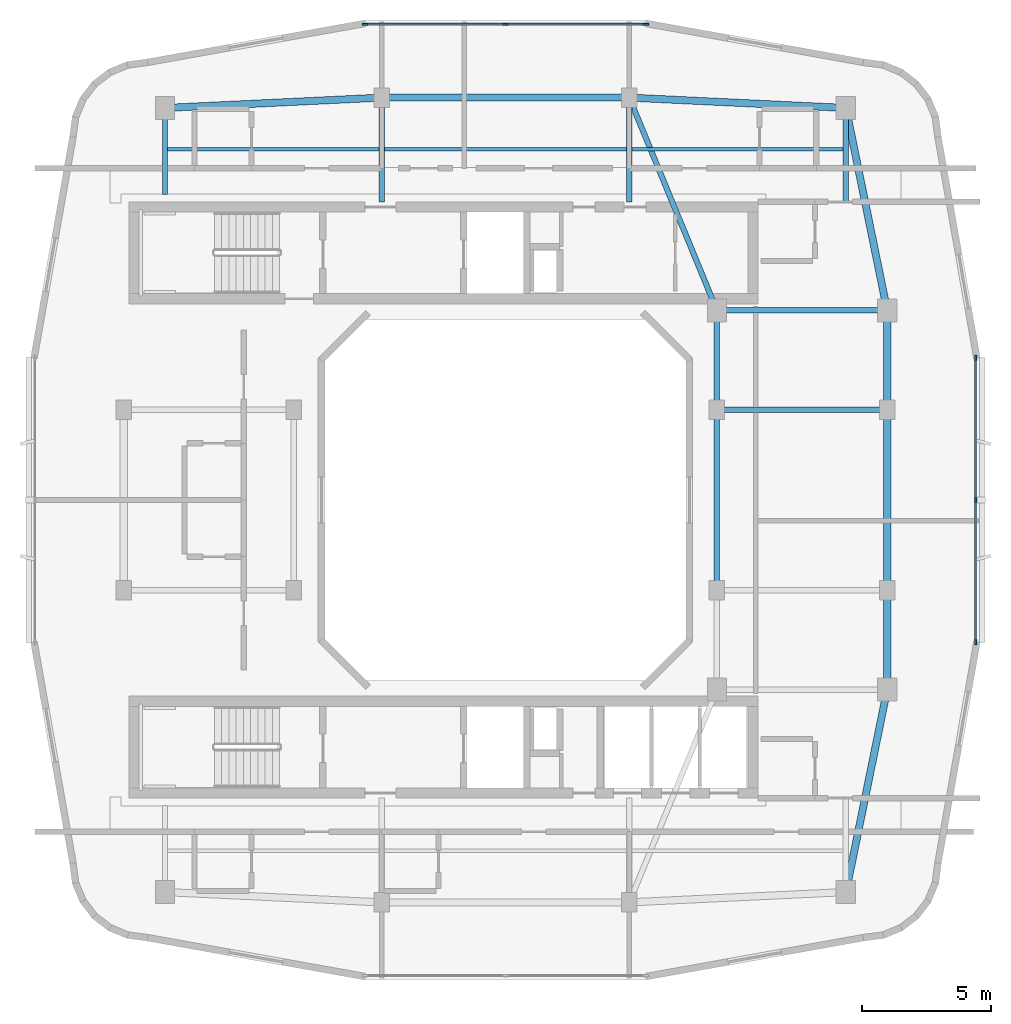
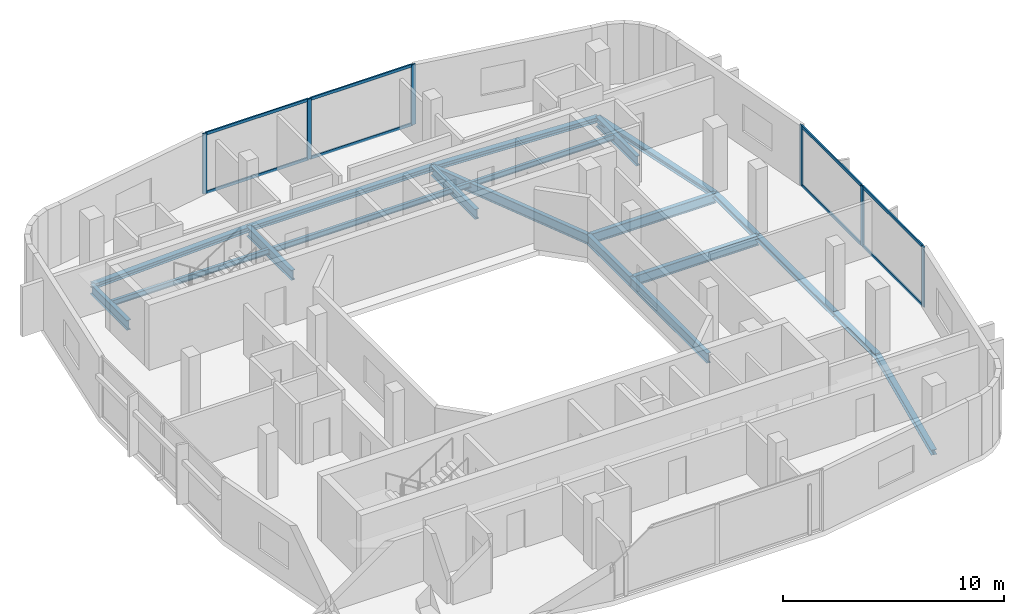
# One storey, part 3 of 10: 20 beams, 14 members, 2 elements without a shape of their own.
"""IFC4 building model written with IfcOpenShell, lengths in metres."""

from ifc_helpers import new_model, si_unit, derived_unit, direction, frame, origin, origin_2d, place, context, subcontext, project, spatial, rectangle, i_section, extrude, material, layer, layer_set, material_profile, profile_set, type_object, element, aggregate, save


model = new_model("IFC4")

# Units and contexts
model_context = context("Model", 3, precision=1e-05, world=origin(), true_north=direction((0.0, 1.0)))
body_context = subcontext(model_context, "Body", "Model", "MODEL_VIEW")
ifc_project = project(units=[si_unit("LENGTHUNIT", "METRE"), si_unit("AREAUNIT", "SQUARE_METRE"), si_unit("VOLUMEUNIT", "CUBIC_METRE"), si_unit("PLANEANGLEUNIT", "RADIAN"), si_unit("MASSUNIT", "GRAM", prefix="KILO"), derived_unit("THERMALTRANSMITTANCEUNIT", [(si_unit("POWERUNIT", "WATT"), 1), (si_unit("LENGTHUNIT", "METRE"), -2), (si_unit("THERMODYNAMICTEMPERATUREUNIT", "KELVIN"), -1)])], contexts=[model_context])

# Site, building, storey
site_placement = place(None, origin())
site = spatial("IfcSite", under=ifc_project, at=site_placement, CompositionType="ELEMENT")
building_placement = place(site_placement, origin())
building = spatial("IfcBuilding", under=site, at=building_placement, Name="Kivonza Crest Hotel", CompositionType="ELEMENT")
storey_placement = place(building_placement, frame((0.0, 0.0, 246.800048828125)))
storey = spatial("IfcBuildingStorey", under=building, at=storey_placement, Name="L67", CompositionType="ELEMENT", Elevation=246.800048828125)

# Beams
ifc_material_1 = material(Name="Steel S355", Category="steel")
ifc_material_profile_1 = material_profile(ifc_material_1, i_section(OverallWidth=0.280029296875, OverallDepth=0.280029296875, WebThickness=0.010498046875, FlangeThickness=0.01806640625, FilletRadius=0.02392578125, at=origin_2d()), Name="HEB 280")
ifc_profile_set_1 = profile_set([ifc_material_profile_1], Name="Steel S355")
beam_type_1 = type_object("IfcBeamType", Name="BM-HEB280", PredefinedType="SPANDREL", material=ifc_profile_set_1)
beam_1_placement = place(storey_placement, frame((34.199951171875, 9.800048828125, -0.420166015625), z_axis=(0.199730733965, 0.979850822273, 0.0), x_axis=(-0.979850822273, 0.199730733965, 0.0)))
element("IfcBeam", 1, at=beam_1_placement, inside=storey, type_object=beam_type_1, Name="Tower T1 L67 perimeter spandrel SE-PSE", PredefinedType="SPANDREL", context=body_context, shape_type="SweptSolid", body=[
    extrude(i_section(OverallWidth=0.280029296875, OverallDepth=0.280029296875, WebThickness=0.010498046875, FlangeThickness=0.01806640625, FilletRadius=0.02392578125, at=origin_2d()), origin(), (0.0, 0.0, 1.0), 8.01123046875),
])
beam_2_placement = place(storey_placement, frame((35.800048828125, 17.64990234375, -0.420166015625), z_axis=(0.0, 1.0, 0.0), x_axis=(-1.0, 0.0, 0.0)))
element("IfcBeam", 2, at=beam_2_placement, inside=storey, type_object=beam_type_1, Name="Tower T1 L67 perimeter spandrel PSE-E1", PredefinedType="SPANDREL", context=body_context, shape_type="SweptSolid", body=[
    extrude(i_section(OverallWidth=0.280029296875, OverallDepth=0.280029296875, WebThickness=0.010498046875, FlangeThickness=0.01806640625, FilletRadius=0.02392578125, at=origin_2d()), origin(), (0.0, 0.0, 1.0), 3.85009765625),
])
beam_3_placement = place(storey_placement, frame((35.800048828125, 21.5, -0.420166015625), z_axis=(0.0, 1.0, 0.0), x_axis=(-1.0, 0.0, 0.0)))
element("IfcBeam", 3, at=beam_3_placement, inside=storey, type_object=beam_type_1, Name="Tower T1 L67 perimeter spandrel E1-E2", PredefinedType="SPANDREL", context=body_context, shape_type="SweptSolid", body=[
    extrude(i_section(OverallWidth=0.280029296875, OverallDepth=0.280029296875, WebThickness=0.010498046875, FlangeThickness=0.01806640625, FilletRadius=0.02392578125, at=origin_2d()), origin(), (0.0, 0.0, 1.0), 7.0),
])
beam_4_placement = place(storey_placement, frame((35.800048828125, 28.5, -0.420166015625), z_axis=(0.0, 1.0, 0.0), x_axis=(-1.0, 0.0, 0.0)))
element("IfcBeam", 4, at=beam_4_placement, inside=storey, type_object=beam_type_1, Name="Tower T1 L67 perimeter spandrel E2-PNE", PredefinedType="SPANDREL", context=body_context, shape_type="SweptSolid", body=[
    extrude(i_section(OverallWidth=0.280029296875, OverallDepth=0.280029296875, WebThickness=0.010498046875, FlangeThickness=0.01806640625, FilletRadius=0.02392578125, at=origin_2d()), origin(), (0.0, 0.0, 1.0), 3.85009765625),
])
beam_5_placement = place(storey_placement, frame((35.800048828125, 32.35009765625, -0.420166015625), z_axis=(-0.199730733965, 0.979850822273, 0.0), x_axis=(-0.979850822273, -0.199730733965, 0.0)))
element("IfcBeam", 5, at=beam_5_placement, inside=storey, type_object=beam_type_1, Name="Tower T1 L67 perimeter spandrel PNE-NE", PredefinedType="SPANDREL", context=body_context, shape_type="SweptSolid", body=[
    extrude(i_section(OverallWidth=0.280029296875, OverallDepth=0.280029296875, WebThickness=0.010498046875, FlangeThickness=0.01806640625, FilletRadius=0.02392578125, at=origin_2d()), origin(), (0.0, 0.0, 1.0), 8.01123046875),
])
beam_6_placement = place(storey_placement, frame((34.199951171875, 40.199951171875, -0.420166015625), z_axis=(-0.998867283688, 0.047583080799, 0.0), x_axis=(-0.047583080799, -0.998867283688, 0.0)))
element("IfcBeam", 6, at=beam_6_placement, inside=storey, type_object=beam_type_1, Name="Tower T1 L67 perimeter spandrel NE-N2", PredefinedType="SPANDREL", context=body_context, shape_type="SweptSolid", body=[
    extrude(i_section(OverallWidth=0.280029296875, OverallDepth=0.280029296875, WebThickness=0.010498046875, FlangeThickness=0.01806640625, FilletRadius=0.02392578125, at=origin_2d()), origin(), (0.0, 0.0, 1.0), 8.409423828125),
])
beam_7_placement = place(storey_placement, frame((25.800048828125, 40.60009765625, -0.420166015625), z_axis=(-1.0, 0.0, 0.0), x_axis=(0.0, -1.0, 0.0)))
element("IfcBeam", 7, at=beam_7_placement, inside=storey, type_object=beam_type_1, Name="Tower T1 L67 perimeter spandrel N2-N1", PredefinedType="SPANDREL", context=body_context, shape_type="SweptSolid", body=[
    extrude(i_section(OverallWidth=0.280029296875, OverallDepth=0.280029296875, WebThickness=0.010498046875, FlangeThickness=0.01806640625, FilletRadius=0.02392578125, at=origin_2d()), origin(), (0.0, 0.0, 1.0), 9.60009765625),
])
beam_8_placement = place(storey_placement, frame((16.199951171875, 40.60009765625, -0.420166015625), z_axis=(-0.998867283688, -0.047583080799, 0.0), x_axis=(0.047583080799, -0.998867283688, 0.0)))
element("IfcBeam", 8, at=beam_8_placement, inside=storey, type_object=beam_type_1, Name="Tower T1 L67 perimeter spandrel N1-NW", PredefinedType="SPANDREL", context=body_context, shape_type="SweptSolid", body=[
    extrude(i_section(OverallWidth=0.280029296875, OverallDepth=0.280029296875, WebThickness=0.010498046875, FlangeThickness=0.01806640625, FilletRadius=0.02392578125, at=origin_2d()), origin(), (0.0, 0.0, 1.0), 8.409423828125),
])
ifc_material_profile_2 = material_profile(ifc_material_1, i_section(OverallWidth=0.14990234375, OverallDepth=0.300048828125, WebThickness=0.007080078125, FlangeThickness=0.0107421875, FilletRadius=0.014892578125, at=origin_2d()), Name="IPE 300")
ifc_profile_set_2 = profile_set([ifc_material_profile_2], Name="Steel S355")
beam_type_2 = type_object("IfcBeamType", Name="BM-IPE300", PredefinedType="JOIST", material=ifc_profile_set_2)
beam_9_placement = place(storey_placement, frame((7.8798828125, 38.60009765625, -0.429931640625), z_axis=(1.0, 0.0, 0.0), x_axis=(0.0, 1.0, 0.0)))
element("IfcBeam", 9, at=beam_9_placement, inside=storey, type_object=beam_type_2, Name="Tower T1 L67 North-West floor joist", PredefinedType="JOIST", context=body_context, shape_type="SweptSolid", body=[
    extrude(i_section(OverallWidth=0.14990234375, OverallDepth=0.300048828125, WebThickness=0.007080078125, FlangeThickness=0.0107421875, FilletRadius=0.014892578125, at=origin_2d()), origin(), (0.0, 0.0, 1.0), 8.240234375),
])
beam_10_placement = place(storey_placement, frame((16.280029296875, 38.60009765625, -0.429931640625), z_axis=(1.0, 0.0, 0.0), x_axis=(0.0, 1.0, 0.0)))
element("IfcBeam", 10, at=beam_10_placement, inside=storey, type_object=beam_type_2, Name="Tower T1 L67 North-Mid floor joist", PredefinedType="JOIST", context=body_context, shape_type="SweptSolid", body=[
    extrude(i_section(OverallWidth=0.14990234375, OverallDepth=0.300048828125, WebThickness=0.007080078125, FlangeThickness=0.0107421875, FilletRadius=0.014892578125, at=origin_2d()), origin(), (0.0, 0.0, 1.0), 9.43994140625),
])
beam_11_placement = place(storey_placement, frame((25.8798828125, 38.60009765625, -0.429931640625), z_axis=(1.0, 0.0, 0.0), x_axis=(0.0, 1.0, 0.0)))
element("IfcBeam", 11, at=beam_11_placement, inside=storey, type_object=beam_type_2, Name="Tower T1 L67 North-East floor joist", PredefinedType="JOIST", context=body_context, shape_type="SweptSolid", body=[
    extrude(i_section(OverallWidth=0.14990234375, OverallDepth=0.300048828125, WebThickness=0.007080078125, FlangeThickness=0.0107421875, FilletRadius=0.014892578125, at=origin_2d()), origin(), (0.0, 0.0, 1.0), 8.240234375),
])
ifc_material_profile_3 = material_profile(ifc_material_1, i_section(OverallWidth=0.2099609375, OverallDepth=0.550048828125, WebThickness=0.010986328125, FlangeThickness=0.01708984375, FilletRadius=0.02392578125, at=origin_2d()), Name="IPE 550")
ifc_profile_set_3 = profile_set([ifc_material_profile_3], Name="Steel S355")
beam_type_3 = type_object("IfcBeamType", Name="BM-IPE550", PredefinedType="BEAM", material=ifc_profile_set_3)
beam_12_placement = place(storey_placement, frame((25.800048828125, 40.60009765625, -0.554931640625), z_axis=(0.381022260404, -0.924565864109, 0.0), x_axis=(0.924565864109, 0.381022260404, 0.0)))
element("IfcBeam", 12, at=beam_12_placement, inside=storey, type_object=beam_type_3, Name="Tower T1 L67 primary girder N1-TNE", PredefinedType="BEAM", context=body_context, shape_type="SweptSolid", body=[
    extrude(i_section(OverallWidth=0.2099609375, OverallDepth=0.550048828125, WebThickness=0.010986328125, FlangeThickness=0.01708984375, FilletRadius=0.02392578125, at=origin_2d()), origin(), (0.0, 0.0, 1.0), 8.923095703125),
])
beam_13_placement = place(storey_placement, frame((29.199951171875, 32.35009765625, -0.554931640625), z_axis=(1.0, 0.0, 0.0), x_axis=(0.0, 1.0, 0.0)))
element("IfcBeam", 13, at=beam_13_placement, inside=storey, type_object=beam_type_3, Name="Tower T1 L67 primary girder TNE-PNE", PredefinedType="BEAM", context=body_context, shape_type="SweptSolid", body=[
    extrude(i_section(OverallWidth=0.2099609375, OverallDepth=0.550048828125, WebThickness=0.010986328125, FlangeThickness=0.01708984375, FilletRadius=0.02392578125, at=origin_2d()), origin(), (0.0, 0.0, 1.0), 6.60009765625),
])
beam_14_placement = place(storey_placement, frame((29.199951171875, 21.5, -0.554931640625), z_axis=(0.0, 1.0, 0.0), x_axis=(-1.0, 0.0, 0.0)))
element("IfcBeam", 14, at=beam_14_placement, inside=storey, type_object=beam_type_3, Name="Tower T1 L67 primary girder WR1-WR2", PredefinedType="BEAM", context=body_context, shape_type="SweptSolid", body=[
    extrude(i_section(OverallWidth=0.2099609375, OverallDepth=0.550048828125, WebThickness=0.010986328125, FlangeThickness=0.01708984375, FilletRadius=0.02392578125, at=origin_2d()), origin(), (0.0, 0.0, 1.0), 7.0),
])
beam_15_placement = place(storey_placement, frame((29.199951171875, 28.5, -0.554931640625), z_axis=(0.0, 1.0, 0.0), x_axis=(-1.0, 0.0, 0.0)))
element("IfcBeam", 15, at=beam_15_placement, inside=storey, type_object=beam_type_3, Name="Tower T1 L67 primary girder WR2-TNE", PredefinedType="BEAM", context=body_context, shape_type="SweptSolid", body=[
    extrude(i_section(OverallWidth=0.2099609375, OverallDepth=0.550048828125, WebThickness=0.010986328125, FlangeThickness=0.01708984375, FilletRadius=0.02392578125, at=origin_2d()), origin(), (0.0, 0.0, 1.0), 3.85009765625),
])
beam_16_placement = place(storey_placement, frame((29.199951171875, 28.5, -0.554931640625), z_axis=(1.0, 0.0, 0.0), x_axis=(0.0, 1.0, 0.0)))
element("IfcBeam", 16, at=beam_16_placement, inside=storey, type_object=beam_type_3, Name="Tower T1 L67 primary girder WR2-E2", PredefinedType="BEAM", context=body_context, shape_type="SweptSolid", body=[
    extrude(i_section(OverallWidth=0.2099609375, OverallDepth=0.550048828125, WebThickness=0.010986328125, FlangeThickness=0.01708984375, FilletRadius=0.02392578125, at=origin_2d()), origin(), (0.0, 0.0, 1.0), 6.60009765625),
])
beam_17_placement = place(storey_placement, frame((7.800048828125, 40.199951171875, -0.554931640625), z_axis=(0.0, -1.0, 0.0), x_axis=(1.0, 0.0, 0.0)))
element("IfcBeam", 17, at=beam_17_placement, inside=storey, type_object=beam_type_3, Name="Tower T1 L67 radial core girder RNW", PredefinedType="BEAM", context=body_context, shape_type="SweptSolid", body=[
    extrude(i_section(OverallWidth=0.2099609375, OverallDepth=0.550048828125, WebThickness=0.010986328125, FlangeThickness=0.01708984375, FilletRadius=0.02392578125, at=origin_2d()), origin(), (0.0, 0.0, 1.0), 3.349853515625),
])
for number, where, z_axis, x_axis, name in (
    (18, (16.199951171875, 40.60009765625, -0.554931640625), (0.0, -1.0, 0.0), (1.0, 0.0, 0.0), "Tower T1 L67 radial core girder RN1"),
    (19, (25.800048828125, 40.60009765625, -0.554931640625), (0.0, -1.0, 0.0), (1.0, 0.0, 0.0), "Tower T1 L67 radial core girder RN2"),
):
    element("IfcBeam", number, at=place(storey_placement, frame(where, z_axis=z_axis, x_axis=x_axis)), inside=storey, type_object=beam_type_3, Name=name, PredefinedType="BEAM", context=body_context, shape_type="SweptSolid", body=[
        extrude(i_section(OverallWidth=0.2099609375, OverallDepth=0.550048828125, WebThickness=0.010986328125, FlangeThickness=0.01708984375, FilletRadius=0.02392578125, at=origin_2d()), origin(), (0.0, 0.0, 1.0), 4.050048828125),
    ])
beam_18_placement = place(storey_placement, frame((34.199951171875, 40.199951171875, -0.554931640625), z_axis=(0.0, -1.0, 0.0), x_axis=(1.0, 0.0, 0.0)))
element("IfcBeam", 20, at=beam_18_placement, inside=storey, type_object=beam_type_3, Name="Tower T1 L67 radial core girder RNE", PredefinedType="BEAM", context=body_context, shape_type="SweptSolid", body=[
    extrude(i_section(OverallWidth=0.2099609375, OverallDepth=0.550048828125, WebThickness=0.010986328125, FlangeThickness=0.01708984375, FilletRadius=0.02392578125, at=origin_2d()), origin(), (0.0, 0.0, 1.0), 3.64990234375),
])

# Curtain wall, members
ifc_material_2 = material(Name="Anodised bronze aluminium and low-E double glazing", Category="aluminium")
ifc_layer = layer(ifc_material_2, 0.179931640625)
ifc_layer_set = layer_set([ifc_layer], Name="Anodised bronze aluminium and low-E double glazing")
curtain_wall_type = type_object("IfcCurtainWallType", Name="CW-SYS-3", PredefinedType="NOTDEFINED", material=ifc_layer_set)
curtain_wall_1_placement = place(storey_placement, origin())
curtain_wall_1 = element("IfcCurtainWall", 21, at=curtain_wall_1_placement, inside=storey, type_object=curtain_wall_type, Name="L67 unitised curtain wall CW-T1-L67-17", PredefinedType="NOTDEFINED")
ifc_material_3 = material(Name="Anodised bronze aluminium", Category="aluminium")
ifc_material_profile_4 = material_profile(ifc_material_3, rectangle(XDim=0.074951171875, YDim=0.219970703125, at=origin_2d()), Name="CW-M 75x220")
ifc_profile_set_4 = profile_set([ifc_material_profile_4], Name="Anodised bronze aluminium")
member_type_1 = type_object("IfcMemberType", Name="CW-MUL-75x220", PredefinedType="MULLION", material=ifc_profile_set_4)
member_1_placement = place(storey_placement, frame((39.239990234375, 19.49755859375, 0.0), z_axis=(0.0, 0.0, 1.0), x_axis=(-1.0, 0.0, 0.0)))
member_1 = element("IfcMember", 22, at=member_1_placement, type_object=member_type_1, Name="CW-3 mullion 1", PredefinedType="MULLION", context=body_context, shape_type="SweptSolid", body=[
    extrude(rectangle(XDim=0.074951171875, YDim=0.219970703125, at=origin_2d()), origin(), (0.0, 0.0, 1.0), 3.320068359375),
])
member_2_placement = place(storey_placement, frame((39.239990234375, 25.0, 0.0), z_axis=(0.0, 0.0, 1.0), x_axis=(-1.0, 0.0, 0.0)))
member_2 = element("IfcMember", 23, at=member_2_placement, type_object=member_type_1, Name="CW-3 mullion 2", PredefinedType="MULLION", context=body_context, shape_type="SweptSolid", body=[
    extrude(rectangle(XDim=0.074951171875, YDim=0.219970703125, at=origin_2d()), origin(), (0.0, 0.0, 1.0), 3.320068359375),
])
member_3_placement = place(storey_placement, frame((39.239990234375, 30.50244140625, 0.0), z_axis=(0.0, 0.0, 1.0), x_axis=(-1.0, 0.0, 0.0)))
member_3 = element("IfcMember", 24, at=member_3_placement, type_object=member_type_1, Name="CW-3 mullion 3", PredefinedType="MULLION", context=body_context, shape_type="SweptSolid", body=[
    extrude(rectangle(XDim=0.074951171875, YDim=0.219970703125, at=origin_2d()), origin(), (0.0, 0.0, 1.0), 3.320068359375),
])

curtain_wall_2_placement = place(storey_placement, origin())
curtain_wall_2 = element("IfcCurtainWall", 25, at=curtain_wall_2_placement, inside=storey, type_object=curtain_wall_type, Name="L67 unitised curtain wall CW-T1-L67-26", PredefinedType="NOTDEFINED")
member_4_placement = place(storey_placement, frame((26.4423828125, 43.43994140625, 0.0), z_axis=(0.0, 0.0, 1.0), x_axis=(0.0, -1.0, 0.0)))
member_4 = element("IfcMember", 26, at=member_4_placement, type_object=member_type_1, Name="CW-3 mullion 1", PredefinedType="MULLION", context=body_context, shape_type="SweptSolid", body=[
    extrude(rectangle(XDim=0.074951171875, YDim=0.219970703125, at=origin_2d()), origin(), (0.0, 0.0, 1.0), 3.320068359375),
])
member_5_placement = place(storey_placement, frame((21.0, 43.43994140625, 0.0), z_axis=(0.0, 0.0, 1.0), x_axis=(0.0, -1.0, 0.0)))
member_5 = element("IfcMember", 27, at=member_5_placement, type_object=member_type_1, Name="CW-3 mullion 2", PredefinedType="MULLION", context=body_context, shape_type="SweptSolid", body=[
    extrude(rectangle(XDim=0.074951171875, YDim=0.219970703125, at=origin_2d()), origin(), (0.0, 0.0, 1.0), 3.320068359375),
])
member_6_placement = place(storey_placement, frame((15.5576171875, 43.43994140625, 0.0), z_axis=(0.0, 0.0, 1.0), x_axis=(0.0, -1.0, 0.0)))
member_6 = element("IfcMember", 28, at=member_6_placement, type_object=member_type_1, Name="CW-3 mullion 3", PredefinedType="MULLION", context=body_context, shape_type="SweptSolid", body=[
    extrude(rectangle(XDim=0.074951171875, YDim=0.219970703125, at=origin_2d()), origin(), (0.0, 0.0, 1.0), 3.320068359375),
])

# Member
ifc_material_profile_5 = material_profile(ifc_material_3, rectangle(XDim=0.074951171875, YDim=0.159912109375, at=origin_2d()), Name="CW-T 75x160")
ifc_profile_set_5 = profile_set([ifc_material_profile_5], Name="Anodised bronze aluminium")
member_type_2 = type_object("IfcMemberType", Name="CW-TRN-75x160", PredefinedType="USERDEFINED", material=ifc_profile_set_5)
member_7_placement = place(storey_placement, frame((39.239990234375, 19.534912109375, 0.037353515625), z_axis=(0.0, 1.0, 0.0), x_axis=(-1.0, 0.0, 0.0)))
member_7 = element("IfcMember", 29, at=member_7_placement, type_object=member_type_2, Name="CW-3 transom 1.1", ObjectType="TRANSOM", PredefinedType="USERDEFINED", context=body_context, shape_type="SweptSolid", body=[
    extrude(rectangle(XDim=0.074951171875, YDim=0.159912109375, at=origin_2d()), origin(), (0.0, 0.0, 1.0), 5.427490234375),
])

member_8_placement = place(storey_placement, frame((39.239990234375, 19.534912109375, 3.282470703125), z_axis=(0.0, 1.0, 0.0), x_axis=(-1.0, 0.0, 0.0)))
member_8 = element("IfcMember", 30, at=member_8_placement, type_object=member_type_2, Name="CW-3 transom 1.2", ObjectType="TRANSOM", PredefinedType="USERDEFINED", context=body_context, shape_type="SweptSolid", body=[
    extrude(rectangle(XDim=0.074951171875, YDim=0.159912109375, at=origin_2d()), origin(), (0.0, 0.0, 1.0), 5.427490234375),
])

member_9_placement = place(storey_placement, frame((39.239990234375, 25.03759765625, 0.037353515625), z_axis=(0.0, 1.0, 0.0), x_axis=(-1.0, 0.0, 0.0)))
member_9 = element("IfcMember", 31, at=member_9_placement, type_object=member_type_2, Name="CW-3 transom 2.1", ObjectType="TRANSOM", PredefinedType="USERDEFINED", context=body_context, shape_type="SweptSolid", body=[
    extrude(rectangle(XDim=0.074951171875, YDim=0.159912109375, at=origin_2d()), origin(), (0.0, 0.0, 1.0), 5.427490234375),
])

member_10_placement = place(storey_placement, frame((39.239990234375, 25.03759765625, 3.282470703125), z_axis=(0.0, 1.0, 0.0), x_axis=(-1.0, 0.0, 0.0)))
member_10 = element("IfcMember", 32, at=member_10_placement, type_object=member_type_2, Name="CW-3 transom 2.2", ObjectType="TRANSOM", PredefinedType="USERDEFINED", context=body_context, shape_type="SweptSolid", body=[
    extrude(rectangle(XDim=0.074951171875, YDim=0.159912109375, at=origin_2d()), origin(), (0.0, 0.0, 1.0), 5.427490234375),
])

aggregate(curtain_wall_1, [member_1, member_2, member_3, member_7, member_8, member_9, member_10])

member_11_placement = place(storey_placement, frame((26.405029296875, 43.43994140625, 0.037353515625), z_axis=(-1.0, 0.0, 0.0), x_axis=(0.0, -1.0, 0.0)))
member_11 = element("IfcMember", 33, at=member_11_placement, type_object=member_type_2, Name="CW-3 transom 1.1", ObjectType="TRANSOM", PredefinedType="USERDEFINED", context=body_context, shape_type="SweptSolid", body=[
    extrude(rectangle(XDim=0.074951171875, YDim=0.159912109375, at=origin_2d()), origin(), (0.0, 0.0, 1.0), 5.367431640625),
])

member_12_placement = place(storey_placement, frame((26.405029296875, 43.43994140625, 3.282470703125), z_axis=(-1.0, 0.0, 0.0), x_axis=(0.0, -1.0, 0.0)))
member_12 = element("IfcMember", 34, at=member_12_placement, type_object=member_type_2, Name="CW-3 transom 1.2", ObjectType="TRANSOM", PredefinedType="USERDEFINED", context=body_context, shape_type="SweptSolid", body=[
    extrude(rectangle(XDim=0.074951171875, YDim=0.159912109375, at=origin_2d()), origin(), (0.0, 0.0, 1.0), 5.367431640625),
])

member_13_placement = place(storey_placement, frame((20.96240234375, 43.43994140625, 0.037353515625), z_axis=(-1.0, 0.0, 0.0), x_axis=(0.0, -1.0, 0.0)))
member_13 = element("IfcMember", 35, at=member_13_placement, type_object=member_type_2, Name="CW-3 transom 2.1", ObjectType="TRANSOM", PredefinedType="USERDEFINED", context=body_context, shape_type="SweptSolid", body=[
    extrude(rectangle(XDim=0.074951171875, YDim=0.159912109375, at=origin_2d()), origin(), (0.0, 0.0, 1.0), 5.367431640625),
])

member_14_placement = place(storey_placement, frame((20.96240234375, 43.43994140625, 3.282470703125), z_axis=(-1.0, 0.0, 0.0), x_axis=(0.0, -1.0, 0.0)))
member_14 = element("IfcMember", 36, at=member_14_placement, type_object=member_type_2, Name="CW-3 transom 2.2", ObjectType="TRANSOM", PredefinedType="USERDEFINED", context=body_context, shape_type="SweptSolid", body=[
    extrude(rectangle(XDim=0.074951171875, YDim=0.159912109375, at=origin_2d()), origin(), (0.0, 0.0, 1.0), 5.367431640625),
])

aggregate(curtain_wall_2, [member_4, member_5, member_6, member_11, member_12, member_13, member_14])

save(model, "model.ifc")
